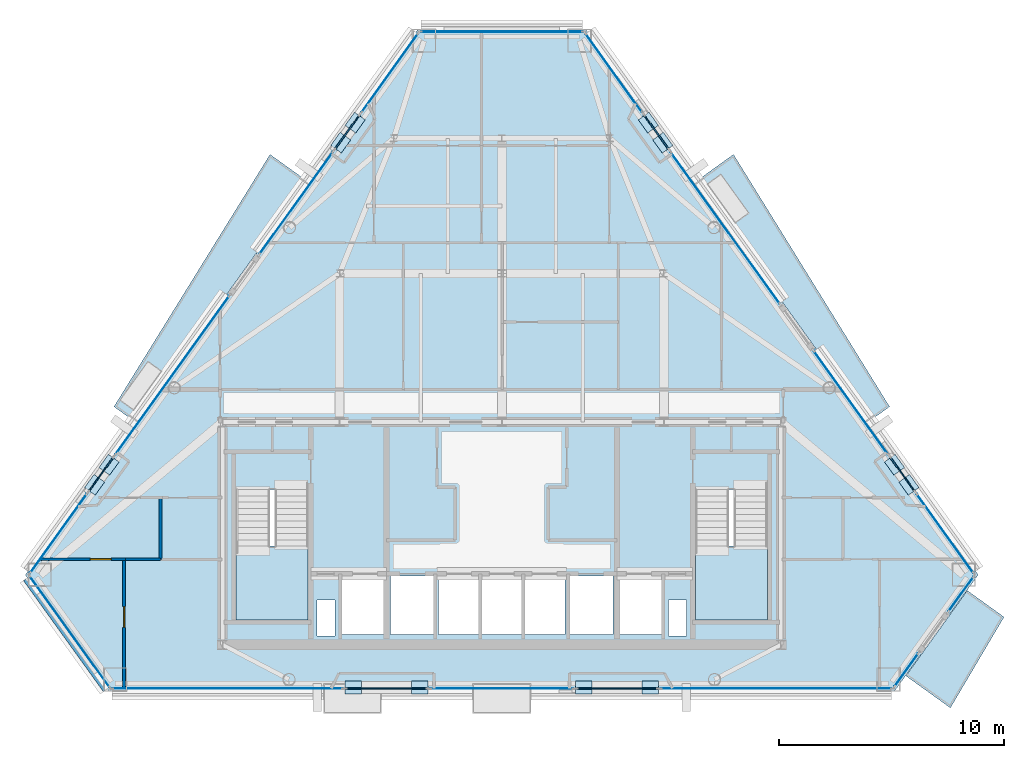
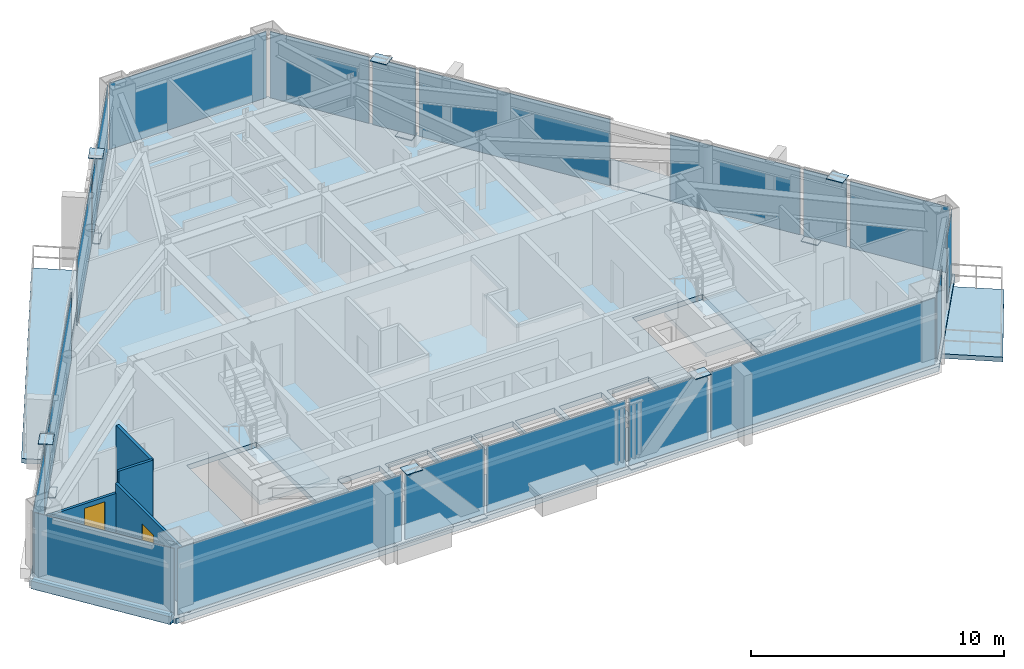
# One storey, part 6 of 12: 33 plates, 6 slabs, 5 walls, 2 doors, 2 openings, 23 elements without a shape of their own.
"""IFC4 building model written with IfcOpenShell, lengths in metres."""

from ifc_helpers import new_model, si_unit, direction, frame, frame_2d, origin, origin_2d, place, context, subcontext, project, spatial, polyline, rectangle, outline, extrude, source, transform, mapped, material, layer, layer_set, type_object, type_shapes, element, fill, aggregate, save


model = new_model("IFC4")

# Units and contexts
model_context = context("Model", 3, precision=1e-05, world=origin(), true_north=direction((0.0, 1.0)))
body_context = subcontext(model_context, "Body", "Model", "MODEL_VIEW")
ifc_project = project(units=[si_unit("LENGTHUNIT", "METRE"), si_unit("AREAUNIT", "SQUARE_METRE"), si_unit("VOLUMEUNIT", "CUBIC_METRE"), si_unit("PLANEANGLEUNIT", "RADIAN"), si_unit("MASSUNIT", "GRAM", prefix="KILO")], contexts=[model_context])

# Site, building, storey
site_placement = place(None, origin())
site = spatial("IfcSite", under=ifc_project, at=site_placement, CompositionType="ELEMENT")
building_placement = place(site_placement, origin())
building = spatial("IfcBuilding", under=site, at=building_placement, Name="Talgorran Terracotta Tower", CompositionType="ELEMENT")
storey_placement = place(building_placement, frame((0.0, 0.0, 192.89990234375)))
storey = spatial("IfcBuildingStorey", under=building, at=storey_placement, Name="L50", CompositionType="ELEMENT", Elevation=192.89990234375)

# Plates
ifc_material_1 = material(Name="Steel Grade 350 (350L0)", Category="steel")
ifc_layer_1 = layer(ifc_material_1, 0.031982421875, Name="PL_CAP_MN07")
ifc_layer_set_1 = layer_set([ifc_layer_1], Name="Steel Grade 350 (350L0)")
plate_type_1 = type_object("IfcPlateType", Name="PL_CAP_MN07", PredefinedType="USERDEFINED", material=ifc_layer_set_1)
for number, where, z_axis, x_axis, name in (
    (1, (-3.646484375, -16.001220703125, -0.005859375), (0.0, 0.0, 1.0), (-1.0, 0.0, 0.0), "L50 Diagonal Frame End Cap SWF Bot"),
    (2, (-6.598388671875, -16.001220703125, 3.32421875), (0.0, 0.0, 1.0), (-1.0, 0.0, 0.0), "L50 Diagonal Frame End Cap SWF Top"),
    (3, (3.646484375, -16.001220703125, -0.005859375), (0.0, 0.0, 1.0), (1.0, 0.0, 0.0), "L50 Diagonal Frame End Cap SEF Bot"),
    (4, (6.598388671875, -16.001220703125, 3.32421875), (0.0, 0.0, 1.0), (1.0, 0.0, 0.0), "L50 Diagonal Frame End Cap SEF Top"),
    (5, (17.449462890625, -6.1015625, -0.005859375), (0.0, 0.0, 1.0), (0.583966337286, -0.811777874123, 0.0), "L50 Diagonal Frame End Cap NEL Bot"),
    (6, (18.0908203125, -6.992919921875, 3.32421875), (0.0, 0.0, 1.0), (0.583966337286, -0.811777874123, 0.0), "L50 Diagonal Frame End Cap NEL Top"),
    (7, (7.15478515625, 8.208251953125, -0.005859375), (0.0, 0.0, 1.0), (-0.583966337286, 0.811777874123, 0.0), "L50 Diagonal Frame End Cap NEU Bot"),
    (8, (6.513427734375, 9.099609375, 3.32421875), (0.0, 0.0, 1.0), (-0.583966337286, 0.811777874123, 0.0), "L50 Diagonal Frame End Cap NEU Top"),
    (9, (-7.15478515625, 8.208251953125, -0.005859375), (0.0, 0.0, 1.0), (0.583966337286, 0.811777874123, 0.0), "L50 Diagonal Frame End Cap NWU Bot"),
    (10, (-6.513427734375, 9.099609375, 3.32421875), (0.0, 0.0, 1.0), (0.583966337286, 0.811777874123, 0.0), "L50 Diagonal Frame End Cap NWU Top"),
    (11, (-17.449462890625, -6.1015625, -0.005859375), (0.0, 0.0, 1.0), (-0.583966337286, -0.811777874123, 0.0), "L50 Diagonal Frame End Cap NWL Bot"),
    (12, (-18.0908203125, -6.992919921875, 3.32421875), (0.0, 0.0, 1.0), (-0.583966337286, -0.811777874123, 0.0), "L50 Diagonal Frame End Cap NWL Top"),
):
    element("IfcPlate", number, at=place(storey_placement, frame(where, z_axis=z_axis, x_axis=x_axis)), inside=storey, type_object=plate_type_1, Name=name, ObjectType="CAP PLATE", PredefinedType="USERDEFINED", context=body_context, shape_type="SweptSolid", body=[
        extrude(rectangle(XDim=0.719970703125, YDim=0.580078125, at=origin_2d()), origin(), (0.0, 0.0, 1.0), 0.031982421875),
    ])

# Slabs
ifc_material_2 = material(Name="Concrete C40/50", Category="concrete")
ifc_layer_2 = layer(ifc_material_2, 0.219970703125, Name="SL_BALCONY_220")
ifc_layer_set_2 = layer_set([ifc_layer_2], Name="Concrete C40/50")
slab_type_1 = type_object("IfcSlabType", Name="SL_BALCONY_220", PredefinedType="FLOOR", material=ifc_layer_set_2)
slab_1_placement = place(storey_placement, frame((0.0, 0.0, -0.219970703125)))
element("IfcSlab", 13, at=slab_1_placement, inside=storey, type_object=slab_type_1, Name="L50 Outdoor Wave Balcony BAL-NE", PredefinedType="FLOOR", context=body_context, shape_type="SweptSolid", body=[
    extrude(outline(polyline([(8.61572265625, 6.477294921875), (16.2919921875, -4.193115234375), (17.227294921875, -3.520263671875), (10.294189453125, 7.684814453125), (8.61572265625, 6.477294921875)])), origin(), (0.0, 0.0, 1.0), 0.219970703125),
])
slab_2_placement = place(storey_placement, frame((0.0, 0.0, -0.219970703125)))
element("IfcSlab", 14, at=slab_2_placement, inside=storey, type_object=slab_type_1, Name="L50 Outdoor Wave Balcony BAL-NW", PredefinedType="FLOOR", context=body_context, shape_type="SweptSolid", body=[
    extrude(outline(polyline([(-16.2919921875, -4.193115234375), (-8.61572265625, 6.477294921875), (-10.294189453125, 7.684814453125), (-17.227294921875, -3.520263671875), (-16.2919921875, -4.193115234375)])), origin(), (0.0, 0.0, 1.0), 0.219970703125),
])
slab_3_placement = place(storey_placement, frame((0.0, 0.0, -0.219970703125)))
element("IfcSlab", 15, at=slab_3_placement, inside=storey, type_object=slab_type_1, Name="L50 Outdoor Wave Balcony BAL-SE", PredefinedType="FLOOR", context=body_context, shape_type="SweptSolid", body=[
    extrude(outline(polyline([(20.680419921875, -11.69091796875), (17.95458984375, -15.47998046875), (19.930908203125, -16.901611328125), (22.313720703125, -12.86572265625), (20.680419921875, -11.69091796875)])), origin(), (0.0, 0.0, 1.0), 0.219970703125),
])

# Stair, slab
stair_type = type_object("IfcStairType", Name="ST_FIRE_SCISSOR", PredefinedType="HALF_TURN_STAIR", material=ifc_material_2)
stair_1_placement = place(storey_placement, origin())
stair_1 = element("IfcStair", 16, at=stair_1_placement, inside=storey, type_object=stair_type, Name="L50 West Protected Fire Stair ST-01", PredefinedType="HALF_TURN_STAIR")
ifc_layer_3 = layer(ifc_material_2, 0.199951171875, Name="SL_LANDING_200")
ifc_layer_set_3 = layer_set([ifc_layer_3], Name="Concrete C40/50")
slab_type_2 = type_object("IfcSlabType", Name="SL_LANDING_200", PredefinedType="LANDING", material=ifc_layer_set_3)
slab_4_placement = place(storey_placement, frame((0.0, 0.0, 1.60009765625)))
slab_4 = element("IfcSlab", 17, at=slab_4_placement, type_object=slab_type_2, Name="ST-01 landing 1", PredefinedType="LANDING", context=body_context, shape_type="SweptSolid", body=[
    extrude(outline(polyline([(-11.800048828125, -9.719970703125), (-11.800048828125, -13.0), (-8.60009765625, -13.0), (-8.60009765625, -9.719970703125), (-11.800048828125, -9.719970703125)])), origin(), (0.0, 0.0, 1.0), 0.199951171875),
])
aggregate(stair_1, [slab_4])

stair_2_placement = place(storey_placement, origin())
stair_2 = element("IfcStair", 18, at=stair_2_placement, inside=storey, type_object=stair_type, Name="L50 East Protected Fire Stair ST-02", PredefinedType="HALF_TURN_STAIR")
slab_5_placement = place(storey_placement, frame((0.0, 0.0, 1.60009765625)))
slab_5 = element("IfcSlab", 19, at=slab_5_placement, type_object=slab_type_2, Name="ST-02 landing 1", PredefinedType="LANDING", context=body_context, shape_type="SweptSolid", body=[
    extrude(outline(polyline([(8.60009765625, -9.719970703125), (8.60009765625, -13.0), (11.800048828125, -13.0), (11.800048828125, -9.719970703125), (8.60009765625, -9.719970703125)])), origin(), (0.0, 0.0, 1.0), 0.199951171875),
])
aggregate(stair_2, [slab_5])

# Slab
ifc_layer_4 = layer(ifc_material_2, 0.25, Name="SL_TOWER_250")
ifc_layer_set_4 = layer_set([ifc_layer_4], Name="Concrete C40/50")
slab_type_3 = type_object("IfcSlabType", Name="SL_TOWER_250", PredefinedType="FLOOR", material=ifc_layer_set_4)
slab_6_placement = place(storey_placement, frame((0.0, 0.0, -0.25)))
element("IfcSlab", 20, at=slab_6_placement, inside=storey, type_object=slab_type_3, Name="Storey L50 Structural Floor Slab", PredefinedType="FLOOR", context=body_context, shape_type="SweptSolid", body=[
    extrude(outline(polyline([(-21.164794921875, -10.9921875), (-17.4462890625, -16.1611328125), (17.4462890625, -16.1611328125), (21.164794921875, -10.9921875), (3.718505859375, 13.2587890625), (-3.718505859375, 13.2587890625), (-21.164794921875, -10.9921875)]), holes=[polyline([(-11.800048828125, -7.199951171875), (-11.800048828125, -13.0), (-8.60009765625, -13.0), (-8.60009765625, -7.199951171875), (-11.800048828125, -7.199951171875)]), polyline([(8.60009765625, -7.199951171875), (8.60009765625, -13.0), (11.800048828125, -13.0), (11.800048828125, -7.199951171875), (8.60009765625, -7.199951171875)]), polyline([(-7.10009765625, -13.64990234375), (-5.199951171875, -13.64990234375), (-5.199951171875, -11.050048828125), (-7.10009765625, -11.050048828125), (-7.10009765625, -13.64990234375)]), polyline([(5.199951171875, -13.64990234375), (7.10009765625, -13.64990234375), (7.10009765625, -11.050048828125), (5.199951171875, -11.050048828125), (5.199951171875, -13.64990234375)]), polyline([(3.0, -13.64990234375), (4.949951171875, -13.64990234375), (4.949951171875, -11.050048828125), (3.0, -11.050048828125), (3.0, -13.64990234375)]), polyline([(-4.949951171875, -13.64990234375), (-3.0, -13.64990234375), (-3.0, -11.050048828125), (-4.949951171875, -11.050048828125), (-4.949951171875, -13.64990234375)]), polyline([(-2.800048828125, -13.64990234375), (-1.0, -13.64990234375), (-1.0, -11.050048828125), (-2.800048828125, -11.050048828125), (-2.800048828125, -13.64990234375)]), polyline([(-0.89990234375, -13.64990234375), (0.89990234375, -13.64990234375), (0.89990234375, -11.050048828125), (-0.89990234375, -11.050048828125), (-0.89990234375, -13.64990234375)]), polyline([(1.0, -13.64990234375), (2.800048828125, -13.64990234375), (2.800048828125, -11.050048828125), (1.0, -11.050048828125), (1.0, -13.64990234375)]), polyline([(-8.199951171875, -13.699951171875), (-7.39990234375, -13.699951171875), (-7.39990234375, -12.10009765625), (-8.199951171875, -12.10009765625), (-8.199951171875, -13.699951171875)]), polyline([(7.39990234375, -13.699951171875), (8.199951171875, -13.699951171875), (8.199951171875, -12.10009765625), (7.39990234375, -12.10009765625), (7.39990234375, -13.699951171875)])]), origin(), (0.0, 0.0, 1.0), 0.25),
])

# Curtain wall, plate
ifc_material_3 = material(Name="High-Wind Unitised Glazing", Category="glass")
ifc_layer_5 = layer(ifc_material_3, 0.2099609375, Name="CW_SYS3_RES_HIGH")
ifc_layer_set_5 = layer_set([ifc_layer_5], Name="High-Wind Unitised Glazing")
curtain_wall_type = type_object("IfcCurtainWallType", Name="CW_SYS3_RES_HIGH", PredefinedType="NOTDEFINED", material=ifc_layer_set_5)
curtain_wall_1_placement = place(storey_placement, origin())
curtain_wall_1 = element("IfcCurtainWall", 21, at=curtain_wall_1_placement, inside=storey, type_object=curtain_wall_type, Name="CW-L50-F0", PredefinedType="NOTDEFINED")
ifc_material_4 = material(Name="High-Wind Acoustic Vision Glass", Category="glass")
ifc_layer_6 = layer(ifc_material_4, 0.031982421875, Name="PLT_VISION_32")
ifc_layer_set_6 = layer_set([ifc_layer_6], Name="High-Wind Acoustic Vision Glass")
plate_type_2 = type_object("IfcPlateType", Name="PLT_VISION_32", PredefinedType="CURTAIN_PANEL", material=ifc_layer_set_6)
shared_shape_1 = source(origin(), body_context, "Body", "SweptSolid", [
    extrude(rectangle(XDim=6.079833984375, YDim=0.031982421875, at=origin_2d()), origin(), (0.0, 0.0, 1.0), 3.2099609375),
])
plate_1_placement = place(storey_placement, frame((-19.20068359375, -13.5166015625, 0.070068359375), z_axis=(0.0, 0.0, 1.0), x_axis=(0.583978547982, -0.811769090011, 0.0)))
plate_1 = element("IfcPlate", 22, at=plate_1_placement, type_object=plate_type_2, Name="CW-L50-0 panel 1.1", PredefinedType="CURTAIN_PANEL", context=body_context, shape_type="MappedRepresentation", body=[
    mapped(shared_shape_1, transform((0.0, 0.0, 0.0), scale=1.0)),
])
aggregate(curtain_wall_1, [plate_1])

curtain_wall_2_placement = place(storey_placement, origin())
curtain_wall_2 = element("IfcCurtainWall", 23, at=curtain_wall_2_placement, inside=storey, type_object=curtain_wall_type, Name="CW-L50-F4", PredefinedType="NOTDEFINED")
shared_shape_2 = source(origin(), body_context, "Body", "SweptSolid", [
    extrude(rectangle(XDim=7.17431640625, YDim=0.031982421875, at=origin_2d()), origin(), (0.0, 0.0, 1.0), 3.2099609375),
])
plate_2_placement = place(storey_placement, frame((0.0, 13.138916015625, 0.070068359375), z_axis=(0.0, 0.0, 1.0), x_axis=(-1.0, 0.0, 0.0)))
plate_2 = element("IfcPlate", 24, at=plate_2_placement, type_object=plate_type_2, Name="CW-L50-4 panel 1.1", PredefinedType="CURTAIN_PANEL", context=body_context, shape_type="MappedRepresentation", body=[
    mapped(shared_shape_2, transform((0.0, 0.0, 0.0), scale=1.0)),
])
aggregate(curtain_wall_2, [plate_2])

curtain_wall_3_placement = place(storey_placement, origin())
curtain_wall_3 = element("IfcCurtainWall", 25, at=curtain_wall_3_placement, inside=storey, type_object=curtain_wall_type, Name="CW-L50-F1", PredefinedType="NOTDEFINED")
shared_shape_3 = source(origin(), body_context, "Body", "SweptSolid", [
    extrude(rectangle(XDim=10.2421875, YDim=0.031982421875, at=origin_2d()), origin(), (0.0, 0.0, 1.0), 3.2099609375),
])
plate_3_placement = place(storey_placement, frame((-12.193603515625, -16.041015625, 0.070068359375), z_axis=(0.0, 0.0, 1.0), x_axis=(1.0, 0.0, 0.0)))
plate_3 = element("IfcPlate", 26, at=plate_3_placement, type_object=plate_type_2, Name="CW-L50-1 panel 1.1", PredefinedType="CURTAIN_PANEL", context=body_context, shape_type="MappedRepresentation", body=[
    mapped(shared_shape_3, transform((0.0, 0.0, 0.0), scale=1.0)),
])
aggregate(curtain_wall_3, [plate_3])

curtain_wall_4_placement = place(storey_placement, origin())
curtain_wall_4 = element("IfcCurtainWall", 27, at=curtain_wall_4_placement, inside=storey, type_object=curtain_wall_type, Name="CW-L50-F1E", PredefinedType="NOTDEFINED")
plate_4_placement = place(storey_placement, frame((12.193603515625, -16.041015625, 0.070068359375), z_axis=(0.0, 0.0, 1.0), x_axis=(1.0, 0.0, 0.0)))
plate_4 = element("IfcPlate", 28, at=plate_4_placement, type_object=plate_type_2, Name="CW-L50-1E panel 1.1", PredefinedType="CURTAIN_PANEL", context=body_context, shape_type="MappedRepresentation", body=[
    mapped(shared_shape_3, transform((0.0, 0.0, 0.0), scale=1.0)),
])
aggregate(curtain_wall_4, [plate_4])

curtain_wall_5_placement = place(storey_placement, origin())
curtain_wall_5 = element("IfcCurtainWall", 29, at=curtain_wall_5_placement, inside=storey, type_object=curtain_wall_type, Name="CW-L50-F1B", PredefinedType="NOTDEFINED")
ifc_material_5 = material(Name="Terracotta Insulated Spandrel", Category="masonry")
ifc_layer_7 = layer(ifc_material_5, 0.06494140625, Name="PLT_SPANDREL_TERRA")
ifc_layer_set_7 = layer_set([ifc_layer_7], Name="Terracotta Insulated Spandrel")
plate_type_3 = type_object("IfcPlateType", Name="PLT_SPANDREL_TERRA", PredefinedType="SHEET", material=ifc_layer_set_7)
shared_shape_4 = source(origin(), body_context, "Body", "SweptSolid", [
    extrude(rectangle(XDim=3.600341796875, YDim=0.06494140625, at=origin_2d()), origin(), (0.0, 0.0, 1.0), 3.2099609375),
])
plate_5_placement = place(storey_placement, frame((-5.12255859375, -16.041015625, 0.070068359375), z_axis=(0.0, 0.0, 1.0), x_axis=(1.0, 0.0, 0.0)))
plate_5 = element("IfcPlate", 30, at=plate_5_placement, type_object=plate_type_3, Name="CW-L50-1B panel 1.1", PredefinedType="CURTAIN_PANEL", context=body_context, shape_type="MappedRepresentation", body=[
    mapped(shared_shape_4, transform((0.0, 0.0, 0.0), scale=1.0)),
])
aggregate(curtain_wall_5, [plate_5])

curtain_wall_6_placement = place(storey_placement, origin())
curtain_wall_6 = element("IfcCurtainWall", 31, at=curtain_wall_6_placement, inside=storey, type_object=curtain_wall_type, Name="CW-L50-F1D", PredefinedType="NOTDEFINED")
plate_6_placement = place(storey_placement, frame((5.12255859375, -16.041015625, 0.070068359375), z_axis=(0.0, 0.0, 1.0), x_axis=(1.0, 0.0, 0.0)))
plate_6 = element("IfcPlate", 32, at=plate_6_placement, type_object=plate_type_3, Name="CW-L50-1D panel 1.1", PredefinedType="CURTAIN_PANEL", context=body_context, shape_type="MappedRepresentation", body=[
    mapped(shared_shape_4, transform((0.0, 0.0, 0.0), scale=1.0)),
])
aggregate(curtain_wall_6, [plate_6])

curtain_wall_7_placement = place(storey_placement, origin())
curtain_wall_7 = element("IfcCurtainWall", 33, at=curtain_wall_7_placement, inside=storey, type_object=curtain_wall_type, Name="CW-L50-F1C", PredefinedType="NOTDEFINED")
shared_shape_5 = source(origin(), body_context, "Body", "SweptSolid", [
    extrude(rectangle(XDim=6.344482421875, YDim=0.031982421875, at=origin_2d()), origin(), (0.0, 0.0, 1.0), 3.2099609375),
])
plate_7_placement = place(storey_placement, frame((0.0, -16.041015625, 0.070068359375), z_axis=(0.0, 0.0, 1.0), x_axis=(1.0, 0.0, 0.0)))
plate_7 = element("IfcPlate", 34, at=plate_7_placement, type_object=plate_type_2, Name="CW-L50-1C panel 1.1", PredefinedType="CURTAIN_PANEL", context=body_context, shape_type="MappedRepresentation", body=[
    mapped(shared_shape_5, transform((0.0, 0.0, 0.0), scale=1.0)),
])
aggregate(curtain_wall_7, [plate_7])

curtain_wall_8_placement = place(storey_placement, origin())
curtain_wall_8 = element("IfcCurtainWall", 35, at=curtain_wall_8_placement, inside=storey, type_object=curtain_wall_type, Name="CW-L50-F30", PredefinedType="NOTDEFINED")
shared_shape_6 = source(origin(), body_context, "Body", "SweptSolid", [
    extrude(rectangle(XDim=1.802490234375, YDim=0.031982421875, at=origin_2d()), origin(), (0.0, 0.0, 1.0), 3.2099609375),
])
plate_8_placement = place(storey_placement, frame((17.975341796875, -15.22021484375, 0.070068359375), z_axis=(0.0, 0.0, 1.0), x_axis=(0.583976493387, 0.811770568062, 0.0)))
plate_8 = element("IfcPlate", 36, at=plate_8_placement, type_object=plate_type_2, Name="CW-L50-30 panel 1.1", PredefinedType="CURTAIN_PANEL", context=body_context, shape_type="MappedRepresentation", body=[
    mapped(shared_shape_6, transform((0.0, 0.0, 0.0), scale=1.0)),
])
aggregate(curtain_wall_8, [plate_8])

curtain_wall_9_placement = place(storey_placement, origin())
curtain_wall_9 = element("IfcCurtainWall", 37, at=curtain_wall_9_placement, inside=storey, type_object=curtain_wall_type, Name="CW-L50-F31", PredefinedType="NOTDEFINED")
shared_shape_7 = source(origin(), body_context, "Body", "SweptSolid", [
    extrude(rectangle(XDim=1.897216796875, YDim=0.031982421875, at=origin_2d()), origin(), (0.0, 0.0, 1.0), 3.2099609375),
])
plate_9_placement = place(storey_placement, frame((20.398681640625, -11.8515625, 0.070068359375), z_axis=(0.0, 0.0, 1.0), x_axis=(0.583960689475, 0.811781936944, 0.0)))
plate_9 = element("IfcPlate", 38, at=plate_9_placement, type_object=plate_type_2, Name="CW-L50-31 panel 1.1", PredefinedType="CURTAIN_PANEL", context=body_context, shape_type="MappedRepresentation", body=[
    mapped(shared_shape_7, transform((0.0, 0.0, 0.0), scale=1.0)),
])
aggregate(curtain_wall_9, [plate_9])

curtain_wall_10_placement = place(storey_placement, origin())
curtain_wall_10 = element("IfcCurtainWall", 39, at=curtain_wall_10_placement, inside=storey, type_object=curtain_wall_type, Name="CW-L50-F40", PredefinedType="NOTDEFINED")
shared_shape_8 = source(origin(), body_context, "Body", "SweptSolid", [
    extrude(rectangle(XDim=4.30615234375, YDim=0.031982421875, at=origin_2d()), origin(), (0.0, 0.0, 1.0), 3.2099609375),
])
plate_10_placement = place(storey_placement, frame((19.6953125, -9.155029296875, 0.070068359375), z_axis=(0.0, 0.0, 1.0), x_axis=(-0.583990062575, 0.811760806404, 0.0)))
plate_10 = element("IfcPlate", 40, at=plate_10_placement, type_object=plate_type_2, Name="CW-L50-40 panel 1.1", PredefinedType="CURTAIN_PANEL", context=body_context, shape_type="MappedRepresentation", body=[
    mapped(shared_shape_8, transform((0.0, 0.0, 0.0), scale=1.0)),
])
aggregate(curtain_wall_10, [plate_10])

curtain_wall_11_placement = place(storey_placement, origin())
curtain_wall_11 = element("IfcCurtainWall", 41, at=curtain_wall_11_placement, inside=storey, type_object=curtain_wall_type, Name="CW-L50-F61C", PredefinedType="NOTDEFINED")
plate_11_placement = place(storey_placement, frame((-19.6953125, -9.155029296875, 0.070068359375), z_axis=(0.0, 0.0, 1.0), x_axis=(-0.583975241425, -0.811771468705, 0.0)))
plate_11 = element("IfcPlate", 42, at=plate_11_placement, type_object=plate_type_2, Name="CW-L50-61C panel 1.1", PredefinedType="CURTAIN_PANEL", context=body_context, shape_type="MappedRepresentation", body=[
    mapped(shared_shape_8, transform((0.0, 0.0, 0.0), scale=1.0)),
])
aggregate(curtain_wall_11, [plate_11])

curtain_wall_12_placement = place(storey_placement, origin())
curtain_wall_12 = element("IfcCurtainWall", 43, at=curtain_wall_12_placement, inside=storey, type_object=curtain_wall_type, Name="CW-L50-F40B", PredefinedType="NOTDEFINED")
shared_shape_9 = source(origin(), body_context, "Body", "SweptSolid", [
    extrude(rectangle(XDim=1.876220703125, YDim=0.06494140625, at=origin_2d()), origin(), (0.0, 0.0, 1.0), 3.2099609375),
])
type_shapes(plate_type_3, [shared_shape_4, shared_shape_9])
plate_12_placement = place(storey_placement, frame((17.802490234375, -6.52392578125, 0.070068359375), z_axis=(0.0, 0.0, 1.0), x_axis=(-0.583970188323, 0.8117751038, 0.0)))
plate_12 = element("IfcPlate", 44, at=plate_12_placement, type_object=plate_type_3, Name="CW-L50-40B panel 1.1", PredefinedType="CURTAIN_PANEL", context=body_context, shape_type="MappedRepresentation", body=[
    mapped(shared_shape_9, transform((0.0, 0.0, 0.0), scale=1.0)),
])
aggregate(curtain_wall_12, [plate_12])

curtain_wall_13_placement = place(storey_placement, origin())
curtain_wall_13 = element("IfcCurtainWall", 45, at=curtain_wall_13_placement, inside=storey, type_object=curtain_wall_type, Name="CW-L50-F41B", PredefinedType="NOTDEFINED")
plate_13_placement = place(storey_placement, frame((6.86669921875, 8.677490234375, 0.070068359375), z_axis=(0.0, 0.0, 1.0), x_axis=(-0.584026383963, 0.811734675146, 0.0)))
plate_13 = element("IfcPlate", 46, at=plate_13_placement, type_object=plate_type_3, Name="CW-L50-41B panel 1.1", PredefinedType="CURTAIN_PANEL", context=body_context, shape_type="MappedRepresentation", body=[
    mapped(shared_shape_9, transform((0.0, 0.0, 0.0), scale=1.0)),
])
aggregate(curtain_wall_13, [plate_13])

curtain_wall_14_placement = place(storey_placement, origin())
curtain_wall_14 = element("IfcCurtainWall", 47, at=curtain_wall_14_placement, inside=storey, type_object=curtain_wall_type, Name="CW-L50-F60B", PredefinedType="NOTDEFINED")
plate_14_placement = place(storey_placement, frame((-6.86669921875, 8.677490234375, 0.070068359375), z_axis=(0.0, 0.0, 1.0), x_axis=(-0.583993701211, -0.811758188715, 0.0)))
plate_14 = element("IfcPlate", 48, at=plate_14_placement, type_object=plate_type_3, Name="CW-L50-60B panel 1.1", PredefinedType="CURTAIN_PANEL", context=body_context, shape_type="MappedRepresentation", body=[
    mapped(shared_shape_9, transform((0.0, 0.0, 0.0), scale=1.0)),
])
aggregate(curtain_wall_14, [plate_14])

curtain_wall_15_placement = place(storey_placement, origin())
curtain_wall_15 = element("IfcCurtainWall", 49, at=curtain_wall_15_placement, inside=storey, type_object=curtain_wall_type, Name="CW-L50-F61B", PredefinedType="NOTDEFINED")
plate_15_placement = place(storey_placement, frame((-17.802490234375, -6.52392578125, 0.070068359375), z_axis=(0.0, 0.0, 1.0), x_axis=(-0.583970188323, -0.8117751038, 0.0)))
plate_15 = element("IfcPlate", 50, at=plate_15_placement, type_object=plate_type_3, Name="CW-L50-61B panel 1.1", PredefinedType="CURTAIN_PANEL", context=body_context, shape_type="MappedRepresentation", body=[
    mapped(shared_shape_9, transform((0.0, 0.0, 0.0), scale=1.0)),
])
aggregate(curtain_wall_15, [plate_15])

curtain_wall_16_placement = place(storey_placement, origin())
curtain_wall_16 = element("IfcCurtainWall", 51, at=curtain_wall_16_placement, inside=storey, type_object=curtain_wall_type, Name="CW-L50-F40C", PredefinedType="NOTDEFINED")
shared_shape_10 = source(origin(), body_context, "Body", "SweptSolid", [
    extrude(rectangle(XDim=5.65283203125, YDim=0.031982421875, at=origin_2d()), origin(), (0.0, 0.0, 1.0), 3.2099609375),
])
plate_16_placement = place(storey_placement, frame((15.516357421875, -3.34619140625, 0.070068359375), z_axis=(0.0, 0.0, 1.0), x_axis=(-0.58398316266, 0.811765770238, 0.0)))
plate_16 = element("IfcPlate", 52, at=plate_16_placement, type_object=plate_type_2, Name="CW-L50-40C panel 1.1", PredefinedType="CURTAIN_PANEL", context=body_context, shape_type="MappedRepresentation", body=[
    mapped(shared_shape_10, transform((0.0, 0.0, 0.0), scale=1.0)),
])
aggregate(curtain_wall_16, [plate_16])

curtain_wall_17_placement = place(storey_placement, origin())
curtain_wall_17 = element("IfcCurtainWall", 53, at=curtain_wall_17_placement, inside=storey, type_object=curtain_wall_type, Name="CW-L50-F41", PredefinedType="NOTDEFINED")
shared_shape_11 = source(origin(), body_context, "Body", "SweptSolid", [
    extrude(rectangle(XDim=8.297119140625, YDim=0.031982421875, at=origin_2d()), origin(), (0.0, 0.0, 1.0), 3.2099609375),
])
plate_17_placement = place(storey_placement, frame((9.9248046875, 4.426513671875, 0.070068359375), z_axis=(0.0, 0.0, 1.0), x_axis=(-0.583986205103, 0.8117635815, 0.0)))
plate_17 = element("IfcPlate", 54, at=plate_17_placement, type_object=plate_type_2, Name="CW-L50-41 panel 1.1", PredefinedType="CURTAIN_PANEL", context=body_context, shape_type="MappedRepresentation", body=[
    mapped(shared_shape_11, transform((0.0, 0.0, 0.0), scale=1.0)),
])
aggregate(curtain_wall_17, [plate_17])

curtain_wall_18_placement = place(storey_placement, origin())
curtain_wall_18 = element("IfcCurtainWall", 55, at=curtain_wall_18_placement, inside=storey, type_object=curtain_wall_type, Name="CW-L50-F41C", PredefinedType="NOTDEFINED")
shared_shape_12 = source(origin(), body_context, "Body", "SweptSolid", [
    extrude(rectangle(XDim=4.2978515625, YDim=0.031982421875, at=origin_2d()), origin(), (0.0, 0.0, 1.0), 3.2099609375),
])
plate_18_placement = place(storey_placement, frame((4.976318359375, 11.304931640625, 0.070068359375), z_axis=(0.0, 0.0, 1.0), x_axis=(-0.583978192123, 0.811769346012, 0.0)))
plate_18 = element("IfcPlate", 56, at=plate_18_placement, type_object=plate_type_2, Name="CW-L50-41C panel 1.1", PredefinedType="CURTAIN_PANEL", context=body_context, shape_type="MappedRepresentation", body=[
    mapped(shared_shape_12, transform((0.0, 0.0, 0.0), scale=1.0)),
])
aggregate(curtain_wall_18, [plate_18])

curtain_wall_19_placement = place(storey_placement, origin())
curtain_wall_19 = element("IfcCurtainWall", 57, at=curtain_wall_19_placement, inside=storey, type_object=curtain_wall_type, Name="CW-L50-F60", PredefinedType="NOTDEFINED")
plate_19_placement = place(storey_placement, frame((-4.976318359375, 11.304931640625, 0.070068359375), z_axis=(0.0, 0.0, 1.0), x_axis=(-0.583978192123, -0.811769346012, 0.0)))
plate_19 = element("IfcPlate", 58, at=plate_19_placement, type_object=plate_type_2, Name="CW-L50-60 panel 1.1", PredefinedType="CURTAIN_PANEL", context=body_context, shape_type="MappedRepresentation", body=[
    mapped(shared_shape_12, transform((0.0, 0.0, 0.0), scale=1.0)),
])
aggregate(curtain_wall_19, [plate_19])

curtain_wall_20_placement = place(storey_placement, origin())
curtain_wall_20 = element("IfcCurtainWall", 59, at=curtain_wall_20_placement, inside=storey, type_object=curtain_wall_type, Name="CW-L50-F60C", PredefinedType="NOTDEFINED")
shared_shape_13 = source(origin(), body_context, "Body", "SweptSolid", [
    extrude(rectangle(XDim=5.589599609375, YDim=0.031982421875, at=origin_2d()), origin(), (0.0, 0.0, 1.0), 3.2099609375),
])
plate_20_placement = place(storey_placement, frame((-9.13427734375, 5.525390625, 0.070068359375), z_axis=(0.0, 0.0, 1.0), x_axis=(-0.583992028695, -0.811759391951, 0.0)))
plate_20 = element("IfcPlate", 60, at=plate_20_placement, type_object=plate_type_2, Name="CW-L50-60C panel 1.1", PredefinedType="CURTAIN_PANEL", context=body_context, shape_type="MappedRepresentation", body=[
    mapped(shared_shape_13, transform((0.0, 0.0, 0.0), scale=1.0)),
])
aggregate(curtain_wall_20, [plate_20])

curtain_wall_21_placement = place(storey_placement, origin())
curtain_wall_21 = element("IfcCurtainWall", 61, at=curtain_wall_21_placement, inside=storey, type_object=curtain_wall_type, Name="CW-L50-F61", PredefinedType="NOTDEFINED")
shared_shape_14 = source(origin(), body_context, "Body", "SweptSolid", [
    extrude(rectangle(XDim=8.66064453125, YDim=0.031982421875, at=origin_2d()), origin(), (0.0, 0.0, 1.0), 3.2099609375),
])
type_shapes(plate_type_2, [shared_shape_1, shared_shape_2, shared_shape_3, shared_shape_5, shared_shape_6, shared_shape_7, shared_shape_8, shared_shape_10, shared_shape_11, shared_shape_12, shared_shape_13, shared_shape_14])
plate_21_placement = place(storey_placement, frame((-14.63818359375, -2.12548828125, 0.070068359375), z_axis=(0.0, 0.0, 1.0), x_axis=(-0.583984388119, -0.811764888643, 0.0)))
plate_21 = element("IfcPlate", 62, at=plate_21_placement, type_object=plate_type_2, Name="CW-L50-61 panel 1.1", PredefinedType="CURTAIN_PANEL", context=body_context, shape_type="MappedRepresentation", body=[
    mapped(shared_shape_14, transform((0.0, 0.0, 0.0), scale=1.0)),
])
aggregate(curtain_wall_21, [plate_21])

# Wall
ifc_layer_8 = layer(ifc_material_2, 0.219970703125, Name="WT_PARAPET_RC")
ifc_layer_set_8 = layer_set([ifc_layer_8], Name="Concrete C40/50")
wall_type_1 = type_object("IfcWallType", Name="WT_PARAPET_RC", PredefinedType="PARAPET", material=ifc_layer_set_8)
wall_1_placement = place(storey_placement, frame((-21.10009765625, -11.150390625, -0.199951171875), z_axis=(0.0, 0.0, 1.0), x_axis=(0.583978848749, -0.811768873642, 0.0)))
element("IfcWall", 63, at=wall_1_placement, inside=storey, type_object=wall_type_1, Name="L50 Striped Portal Precast Cornice F0", PredefinedType="PARAPET", context=body_context, shape_type="SweptSolid", body=[
    extrude(rectangle(XDim=6.059814453125, YDim=0.360107421875, at=frame_2d((3.02978515625, 0.0))), origin(), (0.0, 0.0, 1.0), 0.380126953125),
])

# Wall, opening, door
ifc_material_6 = material(Name="Insulated Steel Stud Plasterboard", Category="steel")
ifc_layer_9 = layer(ifc_material_6, 0.1201171875, Name="WT_PART_120")
ifc_layer_set_9 = layer_set([ifc_layer_9], Name="Insulated Steel Stud Plasterboard")
wall_type_2 = type_object("IfcWallType", Name="WT_PART_120", PredefinedType="PARTITIONING", material=ifc_layer_set_9)
wall_2_placement = place(storey_placement, frame((-16.780029296875, -16.041015625, 0.0), z_axis=(0.0, 0.0, 1.0), x_axis=(0.0, 1.0, 0.0)))
wall_2 = element("IfcWall", 64, at=wall_2_placement, inside=storey, type_object=wall_type_2, Name="WL-L50-W-L50-R15", PredefinedType="PARTITIONING", context=body_context, shape_type="SweptSolid", body=[
    extrude(rectangle(XDim=5.740966796875, YDim=0.1201171875, at=frame_2d((2.87060546875, 0.0))), origin(), (0.0, 0.0, 1.0), 2.7919921875),
])
opening_1_placement = place(wall_2_placement, frame((2.718017578125, 0.0, 0.0)))
opening_1 = element("IfcOpeningElement", 65, at=opening_1_placement, cuts=wall_2, Name="Opening DR-L50-R05", PredefinedType="OPENING", context=body_context, shape_type="SweptSolid", body=[
    extrude(rectangle(XDim=0.925921875, YDim=2.10409765625, at=frame_2d((0.4599609375, 1.052001953125))), frame((0.0, 0.070068359375, 0.0), z_axis=(0.0, -1.0, 0.0), x_axis=(1.0, 0.0, 0.0)), (0.0, 0.0, 1.0), 0.14013671875),
])
ifc_material_7 = material(Name="Solid-Core Painted Timber", Category="wood")
door_type = type_object("IfcDoorType", Name="DT_INT_920", OperationType="NOTDEFINED", PredefinedType="DOOR", material=ifc_material_7)
door_1_placement = place(opening_1_placement, origin())
door_1 = element("IfcDoor", 66, at=door_1_placement, inside=storey, type_object=door_type, Name="DR-L50-R05", OperationType="SINGLE_SWING_LEFT", OverallHeight=2.10009765625, OverallWidth=0.919921875, PredefinedType="DOOR", context=body_context, shape_type="SweptSolid", body=[
    extrude(rectangle(XDim=0.919921875, YDim=2.10009765625, at=frame_2d((0.4599609375, 1.050048828125))), frame((0.0, 0.02490234375, 0.0), z_axis=(0.0, -1.0, 0.0), x_axis=(1.0, 0.0, 0.0)), (0.0, 0.0, 1.0), 0.050048828125),
])
fill(opening_1, door_1)

wall_3_placement = place(storey_placement, frame((-20.51904296875, -10.300048828125, 0.0), z_axis=(0.0, 0.0, 1.0), x_axis=(1.0, 0.0, 0.0)))
wall_3 = element("IfcWall", 67, at=wall_3_placement, inside=storey, type_object=wall_type_2, Name="WL-L50-W-L50-R13", PredefinedType="PARTITIONING", context=body_context, shape_type="SweptSolid", body=[
    extrude(rectangle(XDim=3.799072265625, YDim=0.1201171875, at=frame_2d((1.8994140625, 0.0))), origin(), (0.0, 0.0, 1.0), 2.3251953125),
])
opening_2_placement = place(wall_3_placement, frame((2.2431640625, 0.0, 0.0)))
opening_2 = element("IfcOpeningElement", 68, at=opening_2_placement, cuts=wall_3, Name="Opening DR-L50-R04", PredefinedType="OPENING", context=body_context, shape_type="SweptSolid", body=[
    extrude(rectangle(XDim=0.925921875, YDim=2.10409765625, at=frame_2d((0.4599609375, 1.052001953125))), frame((0.0, 0.070068359375, 0.0), z_axis=(0.0, -1.0, 0.0), x_axis=(1.0, 0.0, 0.0)), (0.0, 0.0, 1.0), 0.14013671875),
])
door_2_placement = place(opening_2_placement, origin())
door_2 = element("IfcDoor", 69, at=door_2_placement, inside=storey, type_object=door_type, Name="DR-L50-R04", OperationType="SINGLE_SWING_RIGHT", OverallHeight=2.10009765625, OverallWidth=0.919921875, PredefinedType="DOOR", context=body_context, shape_type="SweptSolid", body=[
    extrude(rectangle(XDim=0.919921875, YDim=2.10009765625, at=frame_2d((0.4599609375, 1.050048828125))), frame((0.0, 0.02490234375, 0.0), z_axis=(0.0, -1.0, 0.0), x_axis=(1.0, 0.0, 0.0)), (0.0, 0.0, 1.0), 0.050048828125),
])
fill(opening_2, door_2)

# Walls
wall_4_placement = place(storey_placement, frame((-16.718017578125, -10.300048828125, 0.0), z_axis=(0.0, 0.0, 1.0), x_axis=(1.0, 0.0, 0.0)))
element("IfcWall", 70, at=wall_4_placement, inside=storey, type_object=wall_type_2, Name="WL-L50-W-L50-R14", PredefinedType="PARTITIONING", context=body_context, shape_type="SweptSolid", body=[
    extrude(rectangle(XDim=1.55810546875, YDim=0.1201171875, at=frame_2d((0.779052734375, 0.0))), origin(), (0.0, 0.0, 1.0), 3.35009765625),
])
ifc_material_8 = material(Name="Moisture-Resistant Stud Wall")
ifc_layer_10 = layer(ifc_material_8, 0.135009765625, Name="WT_PART_135")
ifc_layer_set_10 = layer_set([ifc_layer_10], Name="Moisture-Resistant Stud Wall")
wall_type_3 = type_object("IfcWallType", Name="WT_PART_135", PredefinedType="PARTITIONING", material=ifc_layer_set_10)
wall_5_placement = place(storey_placement, frame((-15.159912109375, -10.300048828125, 0.0), z_axis=(0.0, 0.0, 1.0), x_axis=(0.0, 1.0, 0.0)))
element("IfcWall", 71, at=wall_5_placement, inside=storey, type_object=wall_type_3, Name="WL-L50-W-L50-R11", PredefinedType="PARTITIONING", context=body_context, shape_type="SweptSolid", body=[
    extrude(rectangle(XDim=2.739990234375, YDim=0.135009765625, at=frame_2d((1.3701171875, 0.0))), origin(), (0.0, 0.0, 1.0), 3.35009765625),
])

save(model, "model.ifc")
